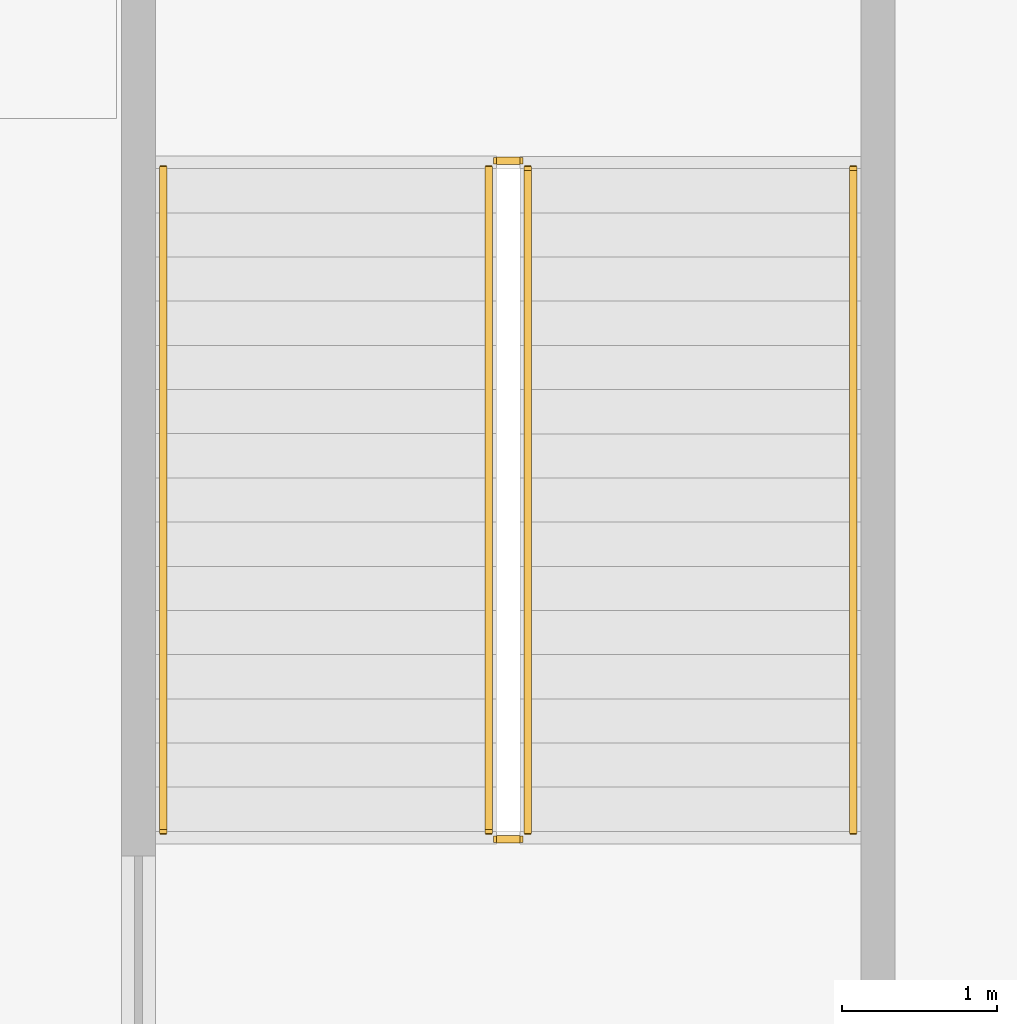
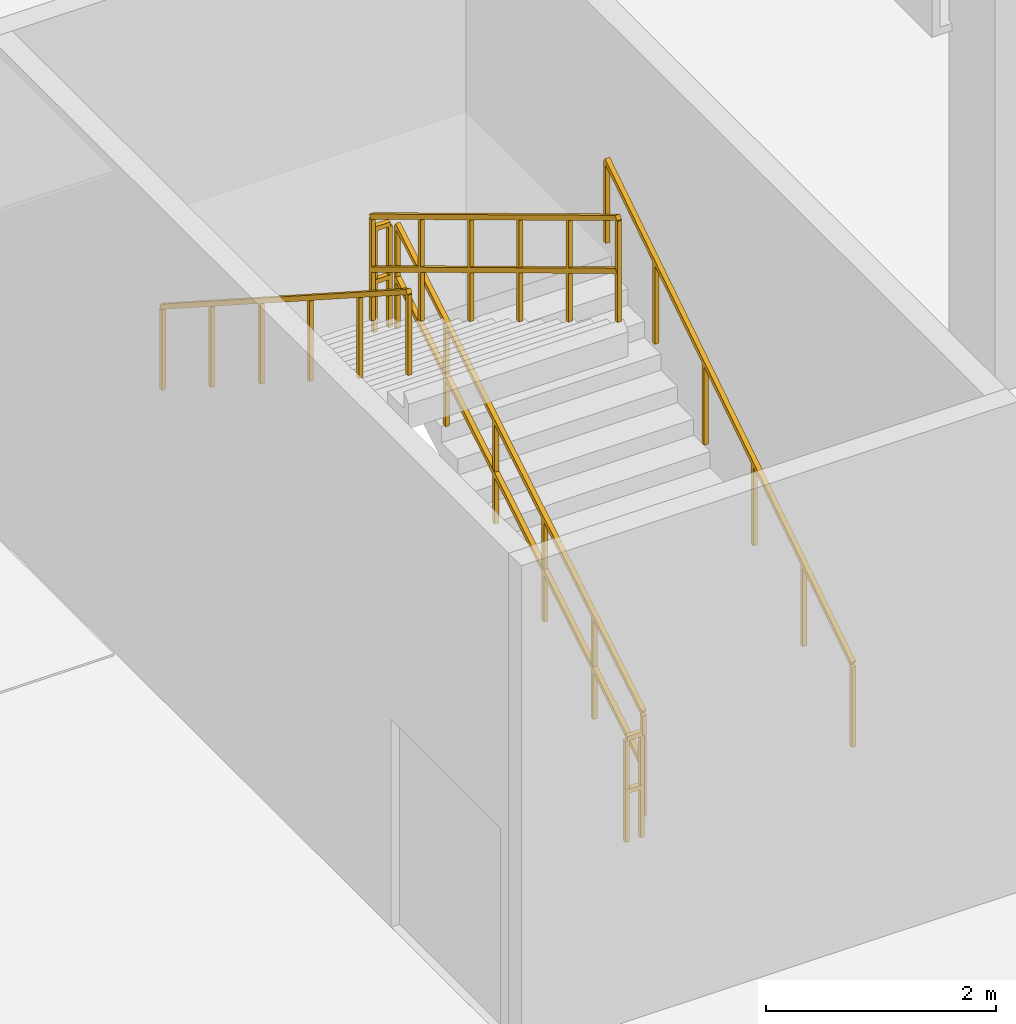
# One storey, part 21 of 23: 6 railings.
"""IFC4 building model written with IfcOpenShell, lengths in metres."""

from ifc_helpers import new_model, si_unit, direction, frame, origin, origin_2d, place, context, subcontext, project, spatial, rectangle, extrude, material, type_object, element, save


model = new_model("IFC4")

# Units and contexts
model_context = context("Model", 3, precision=1e-05, world=origin(), true_north=direction((0.0, 1.0)))
body_context = subcontext(model_context, "Body", "Model", "MODEL_VIEW")
ifc_project = project(units=[si_unit("LENGTHUNIT", "METRE"), si_unit("AREAUNIT", "SQUARE_METRE"), si_unit("VOLUMEUNIT", "CUBIC_METRE"), si_unit("PLANEANGLEUNIT", "RADIAN"), si_unit("MASSUNIT", "GRAM", prefix="KILO")], contexts=[model_context])

# Site, building, storey
site_placement = place(None, origin())
site = spatial("IfcSite", under=ifc_project, at=site_placement, CompositionType="ELEMENT")
building_placement = place(site_placement, origin())
building = spatial("IfcBuilding", under=site, at=building_placement, Name="Apsidion Concourse Tower", CompositionType="ELEMENT")
storey_placement = place(building_placement, frame((0.0, 0.0, 6.0)))
storey = spatial("IfcBuildingStorey", under=building, at=storey_placement, Name="L01", CompositionType="ELEMENT", Elevation=6.0)

# Railings
ifc_material = material(Name="Brushed stainless steel 316", Category="steel")
railing_type_1 = type_object("IfcRailingType", Name="RL-GUARD-1100", PredefinedType="GUARDRAIL", material=ifc_material)
railing_1_placement = place(storey_placement, frame((32.050048828125, -22.60009765625, 0.171875)))
element("IfcRailing", 1, at=railing_1_placement, inside=storey, type_object=railing_type_1, Name="L01 ST-P2 stair guard 1", PredefinedType="GUARDRAIL", context=body_context, shape_type="SweptSolid", body=[
    extrude(rectangle(XDim=0.048095703125, YDim=0.048095703125, at=origin_2d()), frame((0.0, 0.0, 1.09619140625), z_axis=(0.0, 0.856338681044, 0.516414623484), x_axis=(-1.0, 0.0, 0.0)), (0.0, 0.0, 1.0), 4.992431640625),
    extrude(rectangle(XDim=0.048095703125, YDim=0.048095703125, at=origin_2d()), frame((0.0, 0.0, 0.5361328125), z_axis=(0.0, 0.856338681044, 0.516414623484), x_axis=(-1.0, 0.0, 0.0)), (0.0, 0.0, 1.0), 4.992431640625),
    extrude(rectangle(XDim=0.0419921875, YDim=0.0419921875, at=origin_2d()), origin(), (0.0, 0.0, 1.0), 1.072021484375),
    extrude(rectangle(XDim=0.0419921875, YDim=0.0419921875, at=origin_2d()), frame((0.0, 0.85498046875, 0.515625)), (0.0, 0.0, 1.0), 1.072021484375),
    extrude(rectangle(XDim=0.0419921875, YDim=0.0419921875, at=origin_2d()), frame((0.0, 1.7099609375, 1.03125)), (0.0, 0.0, 1.0), 1.072021484375),
    extrude(rectangle(XDim=0.0419921875, YDim=0.0419921875, at=origin_2d()), frame((0.0, 2.565185546875, 1.546875)), (0.0, 0.0, 1.0), 1.072021484375),
    extrude(rectangle(XDim=0.0419921875, YDim=0.0419921875, at=origin_2d()), frame((0.0, 3.420166015625, 2.0625)), (0.0, 0.0, 1.0), 1.072021484375),
    extrude(rectangle(XDim=0.0419921875, YDim=0.0419921875, at=origin_2d()), frame((0.0, 4.275146484375, 2.578125)), (0.0, 0.0, 1.0), 1.072021484375),
])
railing_2_placement = place(storey_placement, frame((32.0, -18.27490234375, 2.75)))
element("IfcRailing", 2, at=railing_2_placement, inside=storey, type_object=railing_type_1, Name="L01 ST-P2 stair guard 2", PredefinedType="GUARDRAIL", context=body_context, shape_type="SweptSolid", body=[
    extrude(rectangle(XDim=0.048095703125, YDim=0.048095703125, at=origin_2d()), frame((0.0, 0.0, 1.09619140625), z_axis=(-1.0, 0.0, 0.0), x_axis=(0.0, -1.0, 0.0)), (0.0, 0.0, 1.0), 0.14990234375),
    extrude(rectangle(XDim=0.048095703125, YDim=0.048095703125, at=origin_2d()), frame((0.0, 0.0, 0.5361328125), z_axis=(-1.0, 0.0, 0.0), x_axis=(0.0, -1.0, 0.0)), (0.0, 0.0, 1.0), 0.14990234375),
    extrude(rectangle(XDim=0.0419921875, YDim=0.0419921875, at=origin_2d()), origin(), (0.0, 0.0, 1.0), 1.072021484375),
    extrude(rectangle(XDim=0.0419921875, YDim=0.0419921875, at=origin_2d()), frame((-0.14990234375, 0.0, 0.0)), (0.0, 0.0, 1.0), 1.072021484375),
])
railing_3_placement = place(storey_placement, frame((31.800048828125, -18.324951171875, 2.921875)))
element("IfcRailing", 3, at=railing_3_placement, inside=storey, type_object=railing_type_1, Name="L01 ST-P2 stair guard 3", PredefinedType="GUARDRAIL", context=body_context, shape_type="SweptSolid", body=[
    extrude(rectangle(XDim=0.048095703125, YDim=0.048095703125, at=origin_2d()), frame((0.0, 0.0, 1.09619140625), z_axis=(0.0, -0.856338681044, 0.516414623484), x_axis=(1.0, 0.0, 0.0)), (0.0, 0.0, 1.0), 4.992431640625),
    extrude(rectangle(XDim=0.048095703125, YDim=0.048095703125, at=origin_2d()), frame((0.0, 0.0, 0.5361328125), z_axis=(0.0, -0.856338681044, 0.516414623484), x_axis=(1.0, 0.0, 0.0)), (0.0, 0.0, 1.0), 4.992431640625),
    extrude(rectangle(XDim=0.0419921875, YDim=0.0419921875, at=origin_2d()), origin(), (0.0, 0.0, 1.0), 1.072021484375),
    extrude(rectangle(XDim=0.0419921875, YDim=0.0419921875, at=origin_2d()), frame((0.0, -0.85498046875, 0.515625)), (0.0, 0.0, 1.0), 1.072021484375),
    extrude(rectangle(XDim=0.0419921875, YDim=0.0419921875, at=origin_2d()), frame((0.0, -1.7099609375, 1.03125)), (0.0, 0.0, 1.0), 1.072021484375),
    extrude(rectangle(XDim=0.0419921875, YDim=0.0419921875, at=origin_2d()), frame((0.0, -2.565185546875, 1.546875)), (0.0, 0.0, 1.0), 1.072021484375),
    extrude(rectangle(XDim=0.0419921875, YDim=0.0419921875, at=origin_2d()), frame((0.0, -3.420166015625, 2.0625)), (0.0, 0.0, 1.0), 1.072021484375),
    extrude(rectangle(XDim=0.0419921875, YDim=0.0419921875, at=origin_2d()), frame((0.0, -4.275146484375, 2.578125)), (0.0, 0.0, 1.0), 1.072021484375),
])
railing_4_placement = place(storey_placement, frame((32.0, -22.64990234375, 0.0)))
element("IfcRailing", 4, at=railing_4_placement, inside=storey, type_object=railing_type_1, Name="L01 ST-P2 stair guard 4", PredefinedType="GUARDRAIL", context=body_context, shape_type="SweptSolid", body=[
    extrude(rectangle(XDim=0.048095703125, YDim=0.048095703125, at=origin_2d()), frame((0.0, 0.0, 1.09619140625), z_axis=(-1.0, 0.0, 0.0), x_axis=(0.0, -1.0, 0.0)), (0.0, 0.0, 1.0), 0.14990234375),
    extrude(rectangle(XDim=0.048095703125, YDim=0.048095703125, at=origin_2d()), frame((0.0, 0.0, 0.5361328125), z_axis=(-1.0, 0.0, 0.0), x_axis=(0.0, -1.0, 0.0)), (0.0, 0.0, 1.0), 0.14990234375),
    extrude(rectangle(XDim=0.0419921875, YDim=0.0419921875, at=origin_2d()), origin(), (0.0, 0.0, 1.0), 1.072021484375),
    extrude(rectangle(XDim=0.0419921875, YDim=0.0419921875, at=origin_2d()), frame((-0.14990234375, 0.0, 0.0)), (0.0, 0.0, 1.0), 1.072021484375),
])
railing_type_2 = type_object("IfcRailingType", Name="RL-HAND-900", PredefinedType="HANDRAIL", material=ifc_material)
railing_5_placement = place(storey_placement, frame((34.14990234375, -22.60009765625, 0.171875)))
element("IfcRailing", 5, at=railing_5_placement, inside=storey, type_object=railing_type_2, Name="L01 ST-P2 stair handrail 1", PredefinedType="HANDRAIL", context=body_context, shape_type="SweptSolid", body=[
    extrude(rectangle(XDim=0.048095703125, YDim=0.048095703125, at=origin_2d()), frame((0.0, 0.0, 0.8759765625), z_axis=(0.0, 0.84102707462, 0.540993031153), x_axis=(-1.0, 0.0, 0.0)), (0.0, 0.0, 1.0), 5.083251953125),
    extrude(rectangle(XDim=0.0419921875, YDim=0.0419921875, at=origin_2d()), origin(), (0.0, 0.0, 1.0), 0.851806640625),
    extrude(rectangle(XDim=0.0419921875, YDim=0.0419921875, at=origin_2d()), frame((0.0, 0.85498046875, 0.550048828125)), (0.0, 0.0, 1.0), 0.851806640625),
    extrude(rectangle(XDim=0.0419921875, YDim=0.0419921875, at=origin_2d()), frame((0.0, 1.7099609375, 1.10009765625)), (0.0, 0.0, 1.0), 0.851806640625),
    extrude(rectangle(XDim=0.0419921875, YDim=0.0419921875, at=origin_2d()), frame((0.0, 2.565185546875, 1.64990234375)), (0.0, 0.0, 1.0), 0.851806640625),
    extrude(rectangle(XDim=0.0419921875, YDim=0.0419921875, at=origin_2d()), frame((0.0, 3.420166015625, 2.199951171875)), (0.0, 0.0, 1.0), 0.851806640625),
    extrude(rectangle(XDim=0.0419921875, YDim=0.0419921875, at=origin_2d()), frame((0.0, 4.275146484375, 2.75)), (0.0, 0.0, 1.0), 0.851806640625),
])
railing_6_placement = place(storey_placement, frame((29.699951171875, -18.324951171875, 2.921875)))
element("IfcRailing", 6, at=railing_6_placement, inside=storey, type_object=railing_type_2, Name="L01 ST-P2 stair handrail 2", PredefinedType="HANDRAIL", context=body_context, shape_type="SweptSolid", body=[
    extrude(rectangle(XDim=0.048095703125, YDim=0.048095703125, at=origin_2d()), frame((0.0, 0.0, 0.8759765625), z_axis=(0.0, -0.84102707462, 0.540993031153), x_axis=(1.0, 0.0, 0.0)), (0.0, 0.0, 1.0), 5.083251953125),
    extrude(rectangle(XDim=0.0419921875, YDim=0.0419921875, at=origin_2d()), origin(), (0.0, 0.0, 1.0), 0.851806640625),
    extrude(rectangle(XDim=0.0419921875, YDim=0.0419921875, at=origin_2d()), frame((0.0, -0.85498046875, 0.550048828125)), (0.0, 0.0, 1.0), 0.851806640625),
    extrude(rectangle(XDim=0.0419921875, YDim=0.0419921875, at=origin_2d()), frame((0.0, -1.7099609375, 1.10009765625)), (0.0, 0.0, 1.0), 0.851806640625),
    extrude(rectangle(XDim=0.0419921875, YDim=0.0419921875, at=origin_2d()), frame((0.0, -2.565185546875, 1.64990234375)), (0.0, 0.0, 1.0), 0.851806640625),
    extrude(rectangle(XDim=0.0419921875, YDim=0.0419921875, at=origin_2d()), frame((0.0, -3.420166015625, 2.199951171875)), (0.0, 0.0, 1.0), 0.851806640625),
    extrude(rectangle(XDim=0.0419921875, YDim=0.0419921875, at=origin_2d()), frame((0.0, -4.275146484375, 2.75)), (0.0, 0.0, 1.0), 0.851806640625),
])

save(model, "model.ifc")
